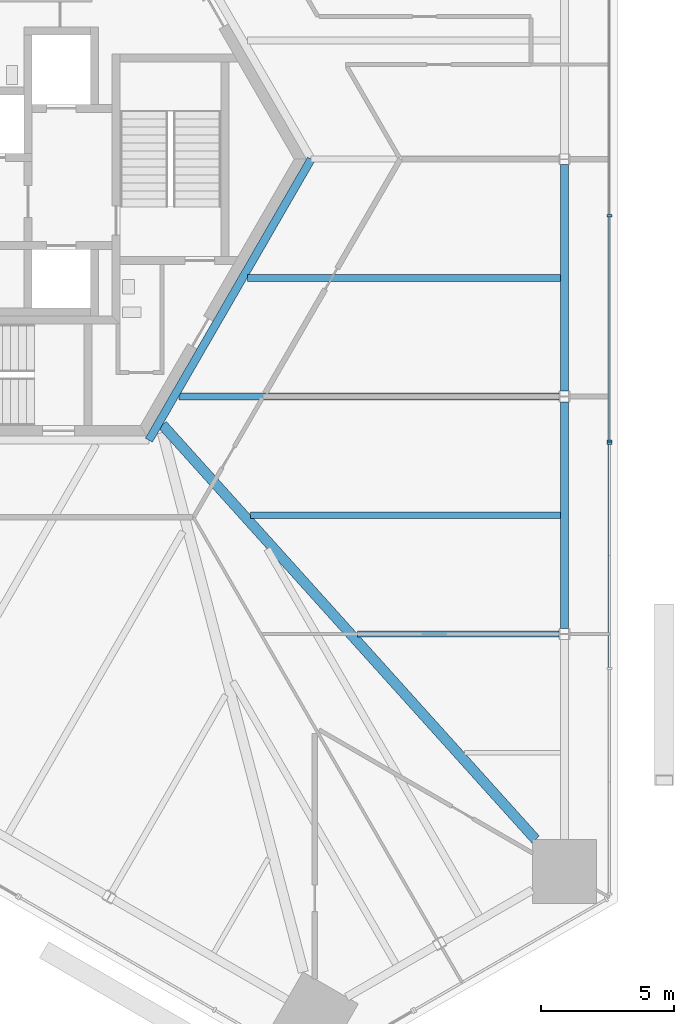
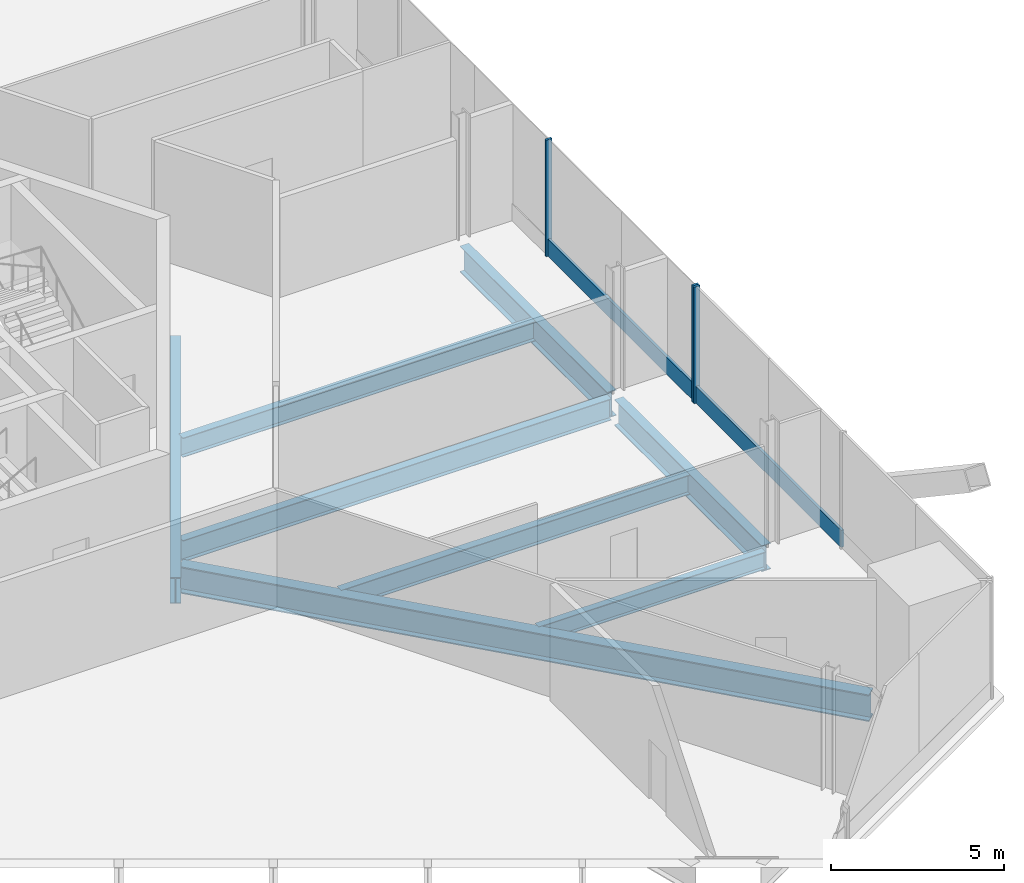
# One storey, part 5 of 17: 8 beams, 5 members, 2 elements without a shape of their own.
"""IFC4 building model written with IfcOpenShell, lengths in metres."""

from ifc_helpers import new_model, si_unit, direction, frame, origin, origin_2d, place, context, subcontext, project, spatial, rectangle, i_section, extrude, source, transform, mapped, material, material_profile, profile_set, type_object, element, aggregate, save


model = new_model("IFC4")

# Units and contexts
model_context = context("Model", 3, precision=1e-05, world=origin(), true_north=direction((0.0, 1.0)))
body_context = subcontext(model_context, "Body", "Model", "MODEL_VIEW")
ifc_project = project(units=[si_unit("LENGTHUNIT", "METRE"), si_unit("AREAUNIT", "SQUARE_METRE"), si_unit("VOLUMEUNIT", "CUBIC_METRE"), si_unit("PLANEANGLEUNIT", "RADIAN"), si_unit("MASSUNIT", "GRAM", prefix="KILO")], contexts=[model_context])

# Site, building, storey
site_placement = place(None, origin())
site = spatial("IfcSite", under=ifc_project, at=site_placement, CompositionType="ELEMENT")
building_placement = place(site_placement, origin())
building = spatial("IfcBuilding", under=site, at=building_placement, Name="Triune Harvest Tower", CompositionType="ELEMENT")
storey_placement = place(building_placement, frame((0.0, 0.0, 46.10009765625)))
storey = spatial("IfcBuildingStorey", under=building, at=storey_placement, Name="L10", CompositionType="ELEMENT", Elevation=46.10009765625)

# Beams
ifc_material_1 = material(Name="Steel ASTM A992 Gr 50", Category="steel")
ifc_material_profile_1 = material_profile(ifc_material_1, i_section(OverallWidth=0.3046875, OverallDepth=0.914306640625, WebThickness=0.0166015625, FlangeThickness=0.02587890625, at=origin_2d()), Name="W36x160")
ifc_profile_set_1 = profile_set([ifc_material_profile_1], Name="Steel ASTM A992 Gr 50")
beam_type_1 = type_object("IfcBeamType", Name="CG-1 Core ring girder W36x160", PredefinedType="BEAM", material=ifc_profile_set_1)
shared_shape_1 = source(origin(), body_context, "Body", "SweptSolid", [
    extrude(i_section(OverallWidth=0.3046875, OverallDepth=0.914306640625, WebThickness=0.0166015625, FlangeThickness=0.02587890625, at=origin_2d()), origin(), (0.0, 0.0, 1.0), 12.176025390625),
])
beam_1_placement = place(storey_placement, frame((6.087890625, -10.544677734375, -0.6572265625), z_axis=(0.5000099932, 0.866019634131, 0.0), x_axis=(-0.866019634131, 0.5000099932, 0.0)))
element("IfcBeam", 1, at=beam_1_placement, inside=storey, type_object=beam_type_1, Name="beam/L10/CG6", PredefinedType="BEAM", context=body_context, shape_type="MappedRepresentation", body=[
    mapped(shared_shape_1, transform((0.0, 0.0, 0.0), scale=1.0)),
])
ifc_material_2 = material(Name="Steel ASTM A992 Gr 50", Category="steel")
ifc_material_profile_2 = material_profile(ifc_material_2, i_section(OverallWidth=0.383544921875, OverallDepth=0.9423828125, WebThickness=0.022216796875, FlangeThickness=0.039794921875, at=origin_2d()), Name="W36x232")
ifc_profile_set_2 = profile_set([ifc_material_profile_2], Name="Steel ASTM A992 Gr 50")
beam_type_2 = type_object("IfcBeamType", Name="HG-1 Hip girder W36x232", PredefinedType="BEAM", material=ifc_profile_set_2)
shared_shape_2 = source(origin(), body_context, "Body", "SweptSolid", [
    extrude(i_section(OverallWidth=0.383544921875, OverallDepth=0.9423828125, WebThickness=0.022216796875, FlangeThickness=0.039794921875, at=origin_2d()), origin(), (0.0, 0.0, 1.0), 20.933349609375),
])
beam_2_placement = place(storey_placement, frame((20.599365234375, -25.530029296875, -0.67138671875), z_axis=(-0.668990505388, 0.743270949049, 0.0), x_axis=(-0.743270949049, -0.668990505388, 0.0)))
element("IfcBeam", 2, at=beam_2_placement, inside=storey, type_object=beam_type_2, Name="beam/L10/HG1", PredefinedType="BEAM", context=body_context, shape_type="MappedRepresentation", body=[
    mapped(shared_shape_2, transform((0.0, 0.0, 0.0), scale=1.0)),
])
ifc_material_3 = material(Name="Steel ASTM A992 Gr 50", Category="steel")
ifc_material_profile_3 = material_profile(ifc_material_3, i_section(OverallWidth=0.22900390625, OverallDepth=0.612060546875, WebThickness=0.011962890625, FlangeThickness=0.01953125, at=origin_2d()), Name="W24x84")
ifc_profile_set_3 = profile_set([ifc_material_profile_3], Name="Steel ASTM A992 Gr 50")
beam_type_3 = type_object("IfcBeamType", Name="JT-3 Floor joist W24x84", PredefinedType="JOIST", material=ifc_profile_set_3)
shared_shape_3 = source(origin(), body_context, "Body", "SweptSolid", [
    extrude(i_section(OverallWidth=0.22900390625, OverallDepth=0.612060546875, WebThickness=0.011962890625, FlangeThickness=0.01953125, at=origin_2d()), origin(), (0.0, 0.0, 1.0), 7.558349609375),
])
beam_3_placement = place(storey_placement, frame((21.476318359375, -17.820068359375, -0.506103515625), z_axis=(-1.0, 0.0, 0.0), x_axis=(0.0, -1.0, 0.0)))
element("IfcBeam", 3, at=beam_3_placement, inside=storey, type_object=beam_type_3, Name="beam/L10/JT2", PredefinedType="JOIST", context=body_context, shape_type="MappedRepresentation", body=[
    mapped(shared_shape_3, transform((0.0, 0.0, 0.0), scale=1.0)),
])
ifc_material_4 = material(Name="Steel ASTM A992 Gr 50", Category="steel")
ifc_material_profile_4 = material_profile(ifc_material_4, i_section(OverallWidth=0.2666015625, OverallDepth=0.7568359375, WebThickness=0.013916015625, FlangeThickness=0.019287109375, at=origin_2d()), Name="W30x108")
ifc_profile_set_4 = profile_set([ifc_material_profile_4], Name="Steel ASTM A992 Gr 50")
beam_type_4 = type_object("IfcBeamType", Name="JT-5 Floor joist W30x108", PredefinedType="JOIST", material=ifc_profile_set_4)
shared_shape_4 = source(origin(), body_context, "Body", "SweptSolid", [
    extrude(i_section(OverallWidth=0.2666015625, OverallDepth=0.7568359375, WebThickness=0.013916015625, FlangeThickness=0.019287109375, at=origin_2d()), origin(), (0.0, 0.0, 1.0), 14.2685546875),
])
beam_4_placement = place(storey_placement, frame((21.476318359375, -8.909912109375, -0.57861328125), z_axis=(-1.0, 0.0, 0.0), x_axis=(0.0, -1.0, 0.0)))
element("IfcBeam", 4, at=beam_4_placement, inside=storey, type_object=beam_type_4, Name="beam/L10/JT4", PredefinedType="JOIST", context=body_context, shape_type="MappedRepresentation", body=[
    mapped(shared_shape_4, transform((0.0, 0.0, 0.0), scale=1.0)),
])
ifc_material_5 = material(Name="Steel ASTM A992 Gr 50", Category="steel")
ifc_material_profile_5 = material_profile(ifc_material_5, i_section(OverallWidth=0.3046875, OverallDepth=0.914306640625, WebThickness=0.0166015625, FlangeThickness=0.02587890625, at=origin_2d()), Name="W36x160")
ifc_profile_set_5 = profile_set([ifc_material_profile_5], Name="Steel ASTM A992 Gr 50")
beam_type_5 = type_object("IfcBeamType", Name="SB-1 Spandrel beam W36x160", PredefinedType="SPANDREL", material=ifc_profile_set_5)
shared_shape_5 = source(origin(), body_context, "Body", "SweptSolid", [
    extrude(i_section(OverallWidth=0.3046875, OverallDepth=0.914306640625, WebThickness=0.0166015625, FlangeThickness=0.02587890625, at=origin_2d()), origin(), (0.0, 0.0, 1.0), 8.50634765625),
])
beam_5_placement = place(storey_placement, frame((21.679443359375, -17.6181640625, -0.6572265625), z_axis=(0.0, 1.0, 0.0), x_axis=(-1.0, 0.0, 0.0)))
element("IfcBeam", 5, at=beam_5_placement, inside=storey, type_object=beam_type_5, Name="beam/L10/SB2", PredefinedType="SPANDREL", context=body_context, shape_type="MappedRepresentation", body=[
    mapped(shared_shape_5, transform((0.0, 0.0, 0.0), scale=1.0)),
])
shared_shape_6 = source(origin(), body_context, "Body", "SweptSolid", [
    extrude(i_section(OverallWidth=0.3046875, OverallDepth=0.914306640625, WebThickness=0.0166015625, FlangeThickness=0.02587890625, at=origin_2d()), origin(), (0.0, 0.0, 1.0), 8.506103515625),
])
beam_6_placement = place(storey_placement, frame((21.679443359375, -8.7080078125, -0.6572265625), z_axis=(0.0, 1.0, 0.0), x_axis=(-1.0, 0.0, 0.0)))
element("IfcBeam", 6, at=beam_6_placement, inside=storey, type_object=beam_type_5, Name="beam/L10/SB3", PredefinedType="SPANDREL", context=body_context, shape_type="MappedRepresentation", body=[
    mapped(shared_shape_6, transform((0.0, 0.0, 0.0), scale=1.0)),
])
ifc_material_6 = material(Name="Steel ASTM A992 Gr 50", Category="steel")
ifc_material_profile_6 = material_profile(ifc_material_6, i_section(OverallWidth=0.253662109375, OverallDepth=0.683349609375, WebThickness=0.012451171875, FlangeThickness=0.01904296875, at=origin_2d()), Name="W27x94")
ifc_profile_set_6 = profile_set([ifc_material_profile_6], Name="Steel ASTM A992 Gr 50")
beam_type_6 = type_object("IfcBeamType", Name="JT-4 Floor joist W27x94", PredefinedType="JOIST", material=ifc_profile_set_6)
shared_shape_7 = source(origin(), body_context, "Body", "SweptSolid", [
    extrude(i_section(OverallWidth=0.253662109375, OverallDepth=0.683349609375, WebThickness=0.012451171875, FlangeThickness=0.01904296875, at=origin_2d()), origin(), (0.0, 0.0, 1.0), 11.619140625),
])
beam_7_placement = place(storey_placement, frame((21.527099609375, -13.364990234375, -0.541748046875), z_axis=(-1.0, 0.0, 0.0), x_axis=(0.0, -1.0, 0.0)))
element("IfcBeam", 7, at=beam_7_placement, inside=storey, type_object=beam_type_6, Name="beam/L10/JT3", PredefinedType="JOIST", context=body_context, shape_type="MappedRepresentation", body=[
    mapped(shared_shape_7, transform((0.0, 0.0, 0.0), scale=1.0)),
])
shared_shape_8 = source(origin(), body_context, "Body", "SweptSolid", [
    extrude(i_section(OverallWidth=0.253662109375, OverallDepth=0.683349609375, WebThickness=0.012451171875, FlangeThickness=0.01904296875, at=origin_2d()), origin(), (0.0, 0.0, 1.0), 11.747314453125),
])
beam_8_placement = place(storey_placement, frame((21.527099609375, -4.455078125, -0.541748046875), z_axis=(-1.0, 0.0, 0.0), x_axis=(0.0, -1.0, 0.0)))
element("IfcBeam", 8, at=beam_8_placement, inside=storey, type_object=beam_type_6, Name="beam/L10/JT5", PredefinedType="JOIST", context=body_context, shape_type="MappedRepresentation", body=[
    mapped(shared_shape_8, transform((0.0, 0.0, 0.0), scale=1.0)),
])

# Curtain wall, member
ifc_material_7 = material(Name="Aluminium bronze anodised", Category="aluminium")
curtain_wall_type_1 = type_object("IfcCurtainWallType", Name="CW-8 Farm floor curtain wall with insulated spandrel infill", PredefinedType="NOTDEFINED", material=ifc_material_7)
curtain_wall_1_placement = place(storey_placement, origin())
curtain_wall_1 = element("IfcCurtainWall", 9, at=curtain_wall_1_placement, inside=storey, type_object=curtain_wall_type_1, Name="CW-8 B1-F1 L10 run 1")
ifc_material_8 = material(Name="Aluminium bronze anodised", Category="aluminium")
ifc_material_profile_7 = material_profile(ifc_material_8, rectangle(XDim=0.199951171875, YDim=0.080078125, at=origin_2d()), Name="MU-3 mullion 80 x 200")
ifc_profile_set_7 = profile_set([ifc_material_profile_7], Name="Aluminium bronze anodised")
member_type_1 = type_object("IfcMemberType", Name="MU-3 mullion 80 x 200", PredefinedType="MULLION", material=ifc_profile_set_7)
shared_shape_9 = source(origin(), body_context, "Body", "SweptSolid", [
    extrude(rectangle(XDim=0.199951171875, YDim=0.080078125, at=origin_2d()), origin(), (0.0, 0.0, 1.0), 4.099853515625),
])
member_1_placement = place(storey_placement, frame((23.371337890625, -10.661865234375, 0.0), z_axis=(0.0, 0.0, 1.0), x_axis=(-1.0, 0.0, 0.0)))
member_1 = element("IfcMember", 10, at=member_1_placement, type_object=member_type_1, Name="CW-8 mullion B1-F1 1.5", PredefinedType="MULLION", context=body_context, shape_type="MappedRepresentation", body=[
    mapped(shared_shape_9, transform((0.0, 0.0, 0.0), scale=1.0)),
])

# Curtain wall, members
ifc_material_9 = material(Name="Aluminium bronze anodised", Category="aluminium")
curtain_wall_type_2 = type_object("IfcCurtainWallType", Name="CW-3 Farm floor curtain wall", PredefinedType="NOTDEFINED", material=ifc_material_9)
curtain_wall_2_placement = place(storey_placement, origin())
curtain_wall_2 = element("IfcCurtainWall", 11, at=curtain_wall_2_placement, inside=storey, type_object=curtain_wall_type_2, Name="CW-3 B1-F1 L10 run 1001")
member_2_placement = place(storey_placement, frame((23.371337890625, -10.581787109375, 0.0), z_axis=(0.0, 0.0, 1.0), x_axis=(-1.0, 0.0, 0.0)))
member_2 = element("IfcMember", 12, at=member_2_placement, type_object=member_type_1, Name="CW-3 mullion B1-F1 1001.1", PredefinedType="MULLION", context=body_context, shape_type="MappedRepresentation", body=[
    mapped(shared_shape_9, transform((0.0, 0.0, 0.0), scale=1.0)),
])
member_3_placement = place(storey_placement, frame((23.371337890625, -2.124267578125, 0.0), z_axis=(0.0, 0.0, 1.0), x_axis=(-1.0, 0.0, 0.0)))
member_3 = element("IfcMember", 13, at=member_3_placement, type_object=member_type_1, Name="CW-3 mullion B1-F1 1001.3", PredefinedType="MULLION", context=body_context, shape_type="MappedRepresentation", body=[
    mapped(shared_shape_9, transform((0.0, 0.0, 0.0), scale=1.0)),
])

# Member
ifc_material_10 = material(Name="Aluminium bronze anodised", Category="aluminium")
ifc_material_profile_8 = material_profile(ifc_material_10, rectangle(XDim=0.090087890625, YDim=0.60009765625, at=origin_2d()), Name="TR-3 transom 90 x 600")
ifc_profile_set_8 = profile_set([ifc_material_profile_8], Name="Aluminium bronze anodised")
member_type_2 = type_object("IfcMemberType", Name="TR-3 transom 90 x 600", PredefinedType="USERDEFINED", material=ifc_profile_set_8)
shared_shape_10 = source(origin(), body_context, "Body", "SweptSolid", [
    extrude(rectangle(XDim=0.090087890625, YDim=0.60009765625, at=origin_2d()), origin(), (0.0, 0.0, 1.0), 8.37744140625),
])
member_4_placement = place(storey_placement, frame((23.371337890625, -19.079345703125, 0.2998046875), z_axis=(0.0, 1.0, 0.0), x_axis=(-1.0, 0.0, 0.0)))
member_4 = element("IfcMember", 14, at=member_4_placement, type_object=member_type_2, Name="CW-8 transom B1-F1 1.2", ObjectType="TRANSOM", PredefinedType="USERDEFINED", context=body_context, shape_type="MappedRepresentation", body=[
    mapped(shared_shape_10, transform((0.0, 0.0, 0.0), scale=1.0)),
])

aggregate(curtain_wall_1, [member_1, member_4])

member_5_placement = place(storey_placement, frame((23.371337890625, -10.541748046875, 0.2998046875), z_axis=(0.0, 1.0, 0.0), x_axis=(-1.0, 0.0, 0.0)))
member_5 = element("IfcMember", 15, at=member_5_placement, type_object=member_type_2, Name="CW-3 transom B1-F1 1001.1", ObjectType="TRANSOM", PredefinedType="USERDEFINED", context=body_context, shape_type="MappedRepresentation", body=[
    mapped(shared_shape_10, transform((0.0, 0.0, 0.0), scale=1.0)),
])

aggregate(curtain_wall_2, [member_2, member_3, member_5])

save(model, "model.ifc")
